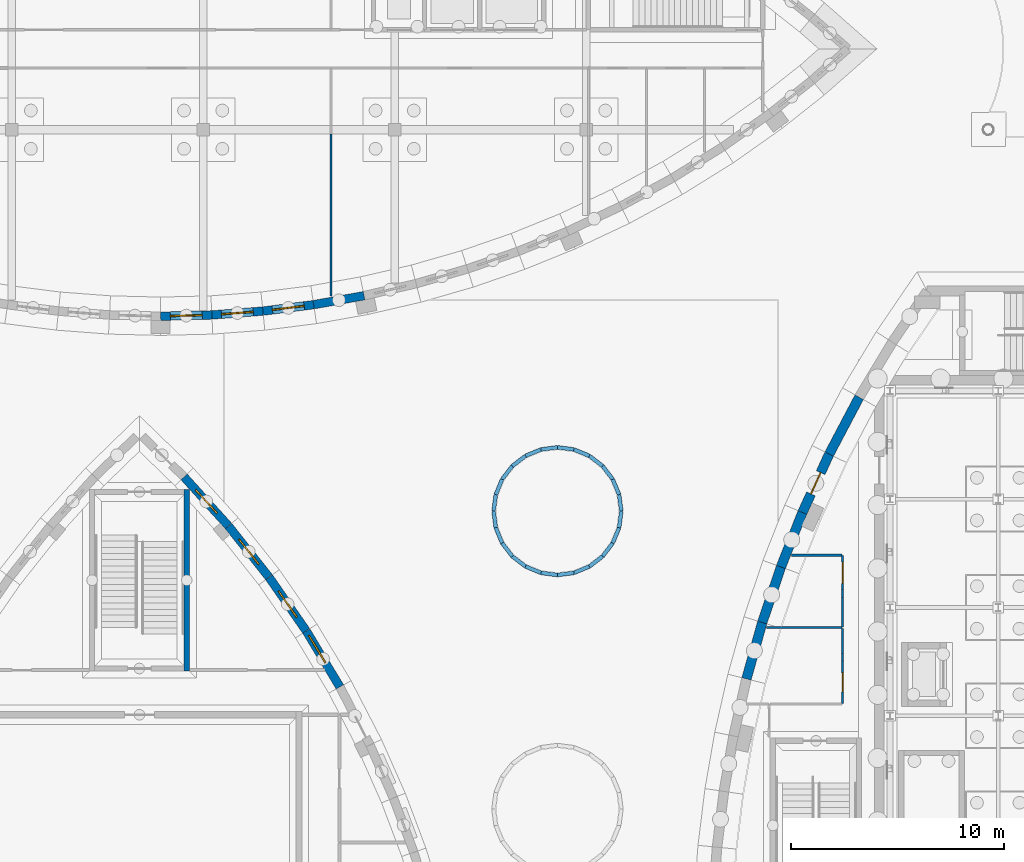
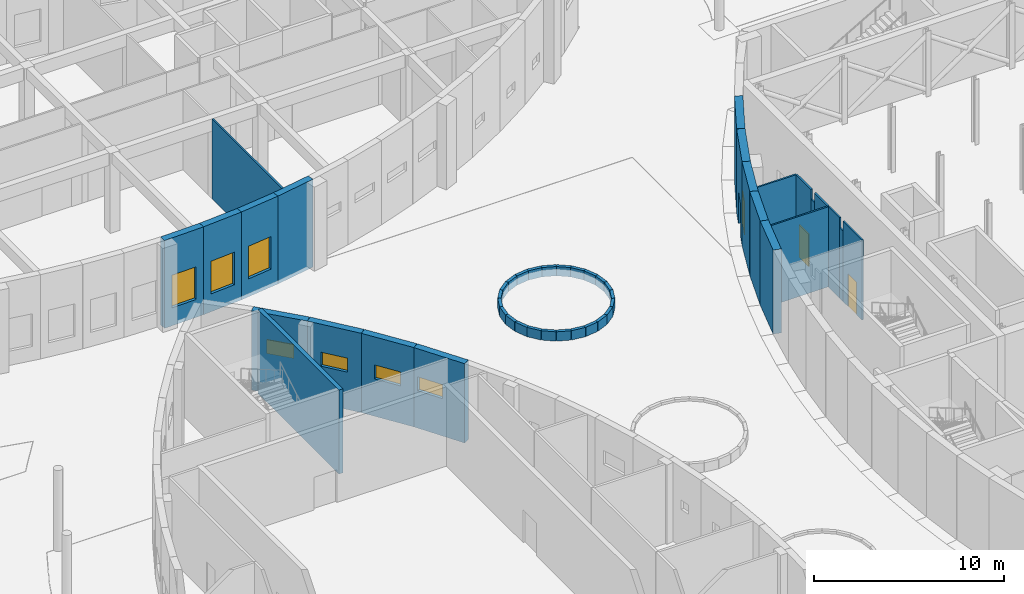
# One storey, part 57 of 82: 47 walls, 7 windows, 3 doors, 10 openings.
"""IFC4 building model written with IfcOpenShell, lengths in metres."""

from ifc_helpers import new_model, si_unit, direction, frame, frame_2d, origin, place, context, subcontext, project, spatial, rectangle, extrude, material, layer, layer_set, type_object, element, fill, save


model = new_model("IFC4")

# Units and contexts
model_context = context("Model", 3, precision=1e-05, world=origin(), true_north=direction((0.0, 1.0)))
body_context = subcontext(model_context, "Body", "Model", "MODEL_VIEW")
ifc_project = project(units=[si_unit("LENGTHUNIT", "METRE"), si_unit("AREAUNIT", "SQUARE_METRE"), si_unit("VOLUMEUNIT", "CUBIC_METRE"), si_unit("PLANEANGLEUNIT", "RADIAN"), si_unit("MASSUNIT", "GRAM", prefix="KILO")], contexts=[model_context])

# Site, building, storey
site_placement = place(None, origin())
site = spatial("IfcSite", under=ifc_project, at=site_placement, CompositionType="ELEMENT")
building_placement = place(site_placement, origin())
building = spatial("IfcBuilding", under=site, at=building_placement, Name="Tide Square Theatres", CompositionType="ELEMENT")
storey_placement = place(building_placement, origin())
storey = spatial("IfcBuildingStorey", under=building, at=storey_placement, Name="L00", CompositionType="ELEMENT", Elevation=0.0)

# Walls
ifc_material_1 = material(Name="Gypsum board on steel studs", Category="steel")
ifc_layer_1 = layer(ifc_material_1, 0.10009765625)
ifc_layer_set_1 = layer_set([ifc_layer_1], Name="Gypsum board on steel studs")
wall_type_1 = type_object("IfcWallType", Name="Partition 100 thick", PredefinedType="PARTITIONING", material=ifc_layer_set_1)
wall_1_placement = place(storey_placement, frame((45.0, 93.800048828125, 0.0), z_axis=(0.0, 0.0, 1.0), x_axis=(0.0, -1.0, 0.0)))
element("IfcWall", 1, at=wall_1_placement, inside=storey, type_object=wall_type_1, Name="Scenery Workshops partition", PredefinedType="PARTITIONING", context=body_context, shape_type="SweptSolid", body=[
    extrude(rectangle(XDim=7.626708984375, YDim=0.10009765625, at=frame_2d((3.8134765625, 0.0))), origin(), (0.0, 0.0, 1.0), 5.1201171875),
])
wall_2_placement = place(storey_placement, frame((65.482177734375, 70.60009765625, 0.0), z_axis=(0.0, 0.0, 1.0), x_axis=(1.0, 0.0, 0.0)))
element("IfcWall", 2, at=wall_2_placement, inside=storey, type_object=wall_type_1, Name="Partition", PredefinedType="PARTITIONING", context=body_context, shape_type="SweptSolid", body=[
    extrude(rectangle(XDim=3.5478515625, YDim=0.10009765625, at=frame_2d((1.77392578125, 0.0))), origin(), (0.0, 0.0, 1.0), 5.14990234375),
])
wall_3_placement = place(storey_placement, frame((66.653076171875, 74.0, 0.0), z_axis=(0.0, 0.0, 1.0), x_axis=(1.0, 0.0, 0.0)))
element("IfcWall", 3, at=wall_3_placement, inside=storey, type_object=wall_type_1, Name="Partition", PredefinedType="PARTITIONING", context=body_context, shape_type="SweptSolid", body=[
    extrude(rectangle(XDim=2.36376953125, YDim=0.10009765625, at=frame_2d((1.181884765625, 0.0))), origin(), (0.0, 0.0, 1.0), 5.14990234375),
])
wall_4_placement = place(storey_placement, frame((69.050048828125, 70.56689453125, 0.0), z_axis=(0.0, 0.0, 1.0), x_axis=(0.0, -1.0, 0.0)))
element("IfcWall", 4, at=wall_4_placement, inside=storey, type_object=wall_type_1, Name="Partition", PredefinedType="PARTITIONING", context=body_context, shape_type="SweptSolid", body=[
    extrude(rectangle(XDim=1.18701171875, YDim=0.10009765625, at=frame_2d((0.593505859375, 0.0))), origin(), (0.0, 0.0, 1.0), 5.14990234375),
])
wall_5_placement = place(storey_placement, frame((69.050048828125, 69.3798828125, 0.0), z_axis=(0.0, 0.0, 1.0), x_axis=(0.0, -1.0, 0.0)))
element("IfcWall", 5, at=wall_5_placement, inside=storey, type_object=wall_type_1, Name="Partition", PredefinedType="PARTITIONING", context=body_context, shape_type="SweptSolid", body=[
    extrude(rectangle(XDim=0.35986328125, YDim=0.10009765625, at=frame_2d((0.179931640625, 0.0))), origin(), (0.0, 0.0, 1.0), 4.52001953125),
])

# Wall, opening, door
wall_6_placement = place(storey_placement, frame((69.050048828125, 69.02001953125, 0.0), z_axis=(0.0, 0.0, 1.0), x_axis=(0.0, -1.0, 0.0)))
wall_6 = element("IfcWall", 6, at=wall_6_placement, inside=storey, type_object=wall_type_1, Name="Partition", PredefinedType="PARTITIONING", context=body_context, shape_type="SweptSolid", body=[
    extrude(rectangle(XDim=1.996826171875, YDim=0.10009765625, at=frame_2d((0.99853515625, 0.0))), origin(), (0.0, 0.0, 1.0), 5.14990234375),
])
opening_1_placement = place(wall_6_placement, frame((0.54833984375, 0.0, 0.0)))
opening_1 = element("IfcOpeningElement", 7, at=opening_1_placement, cuts=wall_6, Name="Opening M00-23", PredefinedType="OPENING", context=body_context, shape_type="SweptSolid", body=[
    extrude(rectangle(XDim=0.89990234375, YDim=2.10009765625, at=frame_2d((0.449951171875, 1.050048828125))), frame((0.0, 0.06005859375, 0.0), z_axis=(0.0, -1.0, 0.0), x_axis=(1.0, 0.0, 0.0)), (0.0, 0.0, 1.0), 0.1201171875),
])
ifc_material_2 = material(Name="Hardwood timber", Category="wood")
door_type_1 = type_object("IfcDoorType", Name="Door 900 x 2100 single leaf", OperationType="NOTDEFINED", PredefinedType="DOOR", material=ifc_material_2)
door_1_placement = place(opening_1_placement, frame((0.89990234375, 0.0, 0.0), z_axis=(0.0, 0.0, 1.0), x_axis=(-1.0, 0.0, 0.0)))
door_1 = element("IfcDoor", 8, at=door_1_placement, inside=storey, type_object=door_type_1, Name="Women's Toilets door", OperationType="SINGLE_SWING_LEFT", OverallHeight=2.10009765625, OverallWidth=0.89990234375, PredefinedType="DOOR", context=body_context, shape_type="SweptSolid", body=[
    extrude(rectangle(XDim=0.89990234375, YDim=2.10009765625, at=frame_2d((0.449951171875, 1.050048828125))), frame((0.0, 0.02490234375, 0.0), z_axis=(0.0, -1.0, 0.0), x_axis=(1.0, 0.0, 0.0)), (0.0, 0.0, 1.0), 0.050048828125),
])
fill(opening_1, door_1)

wall_7_placement = place(storey_placement, frame((69.050048828125, 73.976806640625, 0.0), z_axis=(0.0, 0.0, 1.0), x_axis=(0.0, -1.0, 0.0)))
wall_7 = element("IfcWall", 9, at=wall_7_placement, inside=storey, type_object=wall_type_1, Name="Partition", PredefinedType="PARTITIONING", context=body_context, shape_type="SweptSolid", body=[
    extrude(rectangle(XDim=1.596923828125, YDim=0.10009765625, at=frame_2d((0.79833984375, 0.0))), origin(), (0.0, 0.0, 1.0), 5.14990234375),
])
opening_2_placement = place(wall_7_placement, frame((0.298583984375, 0.0, 0.0)))
opening_2 = element("IfcOpeningElement", 10, at=opening_2_placement, cuts=wall_7, Name="Opening M00-25", PredefinedType="OPENING", context=body_context, shape_type="SweptSolid", body=[
    extrude(rectangle(XDim=1.0, YDim=2.10009765625, at=frame_2d((0.5, 1.050048828125))), frame((0.0, 0.06005859375, 0.0), z_axis=(0.0, -1.0, 0.0), x_axis=(1.0, 0.0, 0.0)), (0.0, 0.0, 1.0), 0.1201171875),
])
ifc_material_3 = material(Name="Hardwood timber", Category="wood")
door_type_2 = type_object("IfcDoorType", Name="Door 1000 x 2100 single leaf", OperationType="NOTDEFINED", PredefinedType="DOOR", material=ifc_material_3)
door_2_placement = place(opening_2_placement, frame((1.0, 0.0, 0.0), z_axis=(0.0, 0.0, 1.0), x_axis=(-1.0, 0.0, 0.0)))
door_2 = element("IfcDoor", 11, at=door_2_placement, inside=storey, type_object=door_type_2, Name="Accessible Toilet 01 door", OperationType="SINGLE_SWING_RIGHT", OverallHeight=2.10009765625, OverallWidth=1.0, PredefinedType="DOOR", context=body_context, shape_type="SweptSolid", body=[
    extrude(rectangle(XDim=1.0, YDim=2.10009765625, at=frame_2d((0.5, 1.050048828125))), frame((0.0, 0.02490234375, 0.0), z_axis=(0.0, -1.0, 0.0), x_axis=(1.0, 0.0, 0.0)), (0.0, 0.0, 1.0), 0.050048828125),
])
fill(opening_2, door_2)

# Walls
wall_8_placement = place(storey_placement, frame((69.050048828125, 72.3798828125, 0.0), z_axis=(0.0, 0.0, 1.0), x_axis=(0.0, -1.0, 0.0)))
element("IfcWall", 12, at=wall_8_placement, inside=storey, type_object=wall_type_1, Name="Partition", PredefinedType="PARTITIONING", context=body_context, shape_type="SweptSolid", body=[
    extrude(rectangle(XDim=0.35986328125, YDim=0.10009765625, at=frame_2d((0.179931640625, 0.0))), origin(), (0.0, 0.0, 1.0), 4.52001953125),
])
wall_9_placement = place(storey_placement, frame((69.050048828125, 72.02001953125, 0.0), z_axis=(0.0, 0.0, 1.0), x_axis=(0.0, -1.0, 0.0)))
element("IfcWall", 13, at=wall_9_placement, inside=storey, type_object=wall_type_1, Name="Partition", PredefinedType="PARTITIONING", context=body_context, shape_type="SweptSolid", body=[
    extrude(rectangle(XDim=1.38671875, YDim=0.10009765625, at=frame_2d((0.693359375, 0.0))), origin(), (0.0, 0.0, 1.0), 5.14990234375),
])

# Wall, opening, window
ifc_material_4 = material(Name="Concrete C40", Category="concrete")
ifc_layer_2 = layer(ifc_material_4, 0.39990234375)
ifc_layer_set_2 = layer_set([ifc_layer_2], Name="Concrete C40")
wall_type_2 = type_object("IfcWallType", Name="RC curved wall 400 thick", PredefinedType="SOLIDWALL", material=ifc_layer_set_2)
wall_10_placement = place(storey_placement, frame((45.421630859375, 67.813720703125, 0.0), z_axis=(0.0, 0.0, 1.0), x_axis=(-0.515387841983, 0.856957042293, 0.0)))
wall_10 = element("IfcWall", 14, at=wall_10_placement, inside=storey, type_object=wall_type_2, Name="Studio Theatre perimeter wall", PredefinedType="SOLIDWALL", context=body_context, shape_type="SweptSolid", body=[
    extrude(rectangle(XDim=3.057861328125, YDim=0.39990234375, at=frame_2d((1.52880859375, 0.0))), origin(), (0.0, 0.0, 1.0), 5.10009765625),
])
opening_3_placement = place(wall_10_placement, frame((1.32275390625, 0.0, 2.39990234375)))
opening_3 = element("IfcOpeningElement", 15, at=opening_3_placement, cuts=wall_10, Name="Opening WN-04", PredefinedType="OPENING", context=body_context, shape_type="SweptSolid", body=[
    extrude(rectangle(XDim=1.5, YDim=0.89990234375, at=frame_2d((0.75, 0.449951171875))), frame((0.0, 0.2099609375, 0.0), z_axis=(0.0, -1.0, 0.0), x_axis=(1.0, 0.0, 0.0)), (0.0, 0.0, 1.0), 0.419921875),
])
ifc_material_5 = material(Name="Aluminium with laminated glass", Category="aluminium")
window_type_1 = type_object("IfcWindowType", Name="Window 1500 x 900", PartitioningType="SINGLE_PANEL", PredefinedType="WINDOW", material=ifc_material_5)
window_1_placement = place(opening_3_placement, origin())
window_1 = element("IfcWindow", 16, at=window_1_placement, inside=storey, type_object=window_type_1, Name="Studio Theatre Scenery Store window", OverallHeight=0.89990234375, OverallWidth=1.5, PartitioningType="SINGLE_PANEL", PredefinedType="WINDOW", context=body_context, shape_type="SweptSolid", body=[
    extrude(rectangle(XDim=1.5, YDim=0.89990234375, at=frame_2d((0.75, 0.449951171875))), frame((0.0, 0.030029296875, 0.0), z_axis=(0.0, -1.0, 0.0), x_axis=(1.0, 0.0, 0.0)), (0.0, 0.0, 1.0), 0.06005859375),
])
fill(opening_3, window_1)

wall_11_placement = place(storey_placement, frame((43.838623046875, 70.44482421875, 0.0), z_axis=(0.0, 0.0, 1.0), x_axis=(-0.569371892655, 0.822080073871, 0.0)))
wall_11 = element("IfcWall", 17, at=wall_11_placement, inside=storey, type_object=wall_type_2, Name="Studio Theatre perimeter wall", PredefinedType="SOLIDWALL", context=body_context, shape_type="SweptSolid", body=[
    extrude(rectangle(XDim=3.0576171875, YDim=0.39990234375, at=frame_2d((1.52880859375, 0.0))), origin(), (0.0, 0.0, 1.0), 5.10009765625),
])
opening_4_placement = place(wall_11_placement, frame((0.77880859375, 0.0, 2.39990234375)))
opening_4 = element("IfcOpeningElement", 18, at=opening_4_placement, cuts=wall_11, Name="Opening WN-04", PredefinedType="OPENING", context=body_context, shape_type="SweptSolid", body=[
    extrude(rectangle(XDim=1.5, YDim=0.89990234375, at=frame_2d((0.75, 0.449951171875))), frame((0.0, 0.2099609375, 0.0), z_axis=(0.0, -1.0, 0.0), x_axis=(1.0, 0.0, 0.0)), (0.0, 0.0, 1.0), 0.419921875),
])
window_2_placement = place(opening_4_placement, origin())
window_2 = element("IfcWindow", 19, at=window_2_placement, inside=storey, type_object=window_type_1, Name="Studio Theatre Scenery Store window", OverallHeight=0.89990234375, OverallWidth=1.5, PartitioningType="SINGLE_PANEL", PredefinedType="WINDOW", context=body_context, shape_type="SweptSolid", body=[
    extrude(rectangle(XDim=1.5, YDim=0.89990234375, at=frame_2d((0.75, 0.449951171875))), frame((0.0, 0.030029296875, 0.0), z_axis=(0.0, -1.0, 0.0), x_axis=(1.0, 0.0, 0.0)), (0.0, 0.0, 1.0), 0.06005859375),
])
fill(opening_4, window_2)

wall_12_placement = place(storey_placement, frame((42.08984375, 72.968994140625, 0.0), z_axis=(0.0, 0.0, 1.0), x_axis=(-0.620958553355, 0.783843399548, 0.0)))
wall_12 = element("IfcWall", 20, at=wall_12_placement, inside=storey, type_object=wall_type_2, Name="Studio Theatre perimeter wall", PredefinedType="SOLIDWALL", context=body_context, shape_type="SweptSolid", body=[
    extrude(rectangle(XDim=3.0576171875, YDim=0.39990234375, at=frame_2d((1.52880859375, 0.0))), origin(), (0.0, 0.0, 1.0), 5.10009765625),
])
opening_5_placement = place(wall_12_placement, frame((0.77880859375, 0.0, 2.39990234375)))
opening_5 = element("IfcOpeningElement", 21, at=opening_5_placement, cuts=wall_12, Name="Opening WN-04", PredefinedType="OPENING", context=body_context, shape_type="SweptSolid", body=[
    extrude(rectangle(XDim=1.5, YDim=0.89990234375, at=frame_2d((0.75, 0.449951171875))), frame((0.0, 0.2099609375, 0.0), z_axis=(0.0, -1.0, 0.0), x_axis=(1.0, 0.0, 0.0)), (0.0, 0.0, 1.0), 0.419921875),
])
window_3_placement = place(opening_5_placement, origin())
window_3 = element("IfcWindow", 22, at=window_3_placement, inside=storey, type_object=window_type_1, Name="Studio Theatre Scenery Store window", OverallHeight=0.89990234375, OverallWidth=1.5, PartitioningType="SINGLE_PANEL", PredefinedType="WINDOW", context=body_context, shape_type="SweptSolid", body=[
    extrude(rectangle(XDim=1.5, YDim=0.89990234375, at=frame_2d((0.75, 0.449951171875))), frame((0.0, 0.030029296875, 0.0), z_axis=(0.0, -1.0, 0.0), x_axis=(1.0, 0.0, 0.0)), (0.0, 0.0, 1.0), 0.06005859375),
])
fill(opening_5, window_3)

wall_13_placement = place(storey_placement, frame((40.182861328125, 75.37548828125, 0.0), z_axis=(0.0, 0.0, 1.0), x_axis=(-0.67038553216, 0.742012963681, 0.0)))
wall_13 = element("IfcWall", 23, at=wall_13_placement, inside=storey, type_object=wall_type_2, Name="Studio Theatre perimeter wall", PredefinedType="SOLIDWALL", context=body_context, shape_type="SweptSolid", body=[
    extrude(rectangle(XDim=3.101806640625, YDim=0.39990234375, at=frame_2d((1.55078125, 0.0))), origin(), (0.0, 0.0, 1.0), 5.10009765625),
])
opening_6_placement = place(wall_13_placement, frame((0.80078125, 0.0, 2.39990234375)))
opening_6 = element("IfcOpeningElement", 24, at=opening_6_placement, cuts=wall_13, Name="Opening WN-04", PredefinedType="OPENING", context=body_context, shape_type="SweptSolid", body=[
    extrude(rectangle(XDim=1.5, YDim=0.89990234375, at=frame_2d((0.75, 0.449951171875))), frame((0.0, 0.2099609375, 0.0), z_axis=(0.0, -1.0, 0.0), x_axis=(1.0, 0.0, 0.0)), (0.0, 0.0, 1.0), 0.419921875),
])
window_4_placement = place(opening_6_placement, origin())
window_4 = element("IfcWindow", 25, at=window_4_placement, inside=storey, type_object=window_type_1, Name="Studio Theatre Scenery Store window", OverallHeight=0.89990234375, OverallWidth=1.5, PartitioningType="SINGLE_PANEL", PredefinedType="WINDOW", context=body_context, shape_type="SweptSolid", body=[
    extrude(rectangle(XDim=1.5, YDim=0.89990234375, at=frame_2d((0.75, 0.449951171875))), frame((0.0, 0.030029296875, 0.0), z_axis=(0.0, -1.0, 0.0), x_axis=(1.0, 0.0, 0.0)), (0.0, 0.0, 1.0), 0.06005859375),
])
fill(opening_6, window_4)

wall_14_placement = place(storey_placement, frame((37.0, 85.231201171875, -0.25), z_axis=(0.0, 0.0, 1.0), x_axis=(0.999683321759, 0.025164582196, 0.0)))
wall_14 = element("IfcWall", 26, at=wall_14_placement, inside=storey, type_object=wall_type_2, Name="Scenery Workshops perimeter wall 014", PredefinedType="SOLIDWALL", context=body_context, shape_type="SweptSolid", body=[
    extrude(rectangle(XDim=2.406005859375, YDim=0.39990234375, at=frame_2d((1.203125, 0.0))), origin(), (0.0, 0.0, 1.0), 5.64990234375),
])
opening_7_placement = place(wall_14_placement, frame((0.452880859375, 0.0, 1.14990234375)))
opening_7 = element("IfcOpeningElement", 27, at=opening_7_placement, cuts=wall_14, Name="Opening WN-01", PredefinedType="OPENING", context=body_context, shape_type="SweptSolid", body=[
    extrude(rectangle(XDim=1.5, YDim=2.10009765625, at=frame_2d((0.75, 1.050048828125))), frame((0.0, 0.2099609375, 0.0), z_axis=(0.0, -1.0, 0.0), x_axis=(1.0, 0.0, 0.0)), (0.0, 0.0, 1.0), 0.419921875),
])
ifc_material_6 = material(Name="Aluminium with laminated glass", Category="aluminium")
window_type_2 = type_object("IfcWindowType", Name="Window 1500 x 2100", PartitioningType="SINGLE_PANEL", PredefinedType="WINDOW", material=ifc_material_6)
window_5_placement = place(opening_7_placement, origin())
window_5 = element("IfcWindow", 28, at=window_5_placement, inside=storey, type_object=window_type_2, Name="Scenery Workshops window L00-14", OverallHeight=2.10009765625, OverallWidth=1.5, PartitioningType="SINGLE_PANEL", PredefinedType="WINDOW", context=body_context, shape_type="SweptSolid", body=[
    extrude(rectangle(XDim=1.5, YDim=2.10009765625, at=frame_2d((0.75, 1.050048828125))), frame((0.0, 0.030029296875, 0.0), z_axis=(0.0, -1.0, 0.0), x_axis=(1.0, 0.0, 0.0)), (0.0, 0.0, 1.0), 0.06005859375),
])
fill(opening_7, window_5)

wall_15_placement = place(storey_placement, frame((39.4052734375, 85.291748046875, -0.25), z_axis=(0.0, 0.0, 1.0), x_axis=(0.997146276918, 0.075493724435, 0.0)))
wall_15 = element("IfcWall", 29, at=wall_15_placement, inside=storey, type_object=wall_type_2, Name="Scenery Workshops perimeter wall 015", PredefinedType="SOLIDWALL", context=body_context, shape_type="SweptSolid", body=[
    extrude(rectangle(XDim=2.406005859375, YDim=0.39990234375, at=frame_2d((1.203125, 0.0))), origin(), (0.0, 0.0, 1.0), 5.64990234375),
])
opening_8_placement = place(wall_15_placement, frame((0.452880859375, 0.0, 1.14990234375)))
opening_8 = element("IfcOpeningElement", 30, at=opening_8_placement, cuts=wall_15, Name="Opening WN-01", PredefinedType="OPENING", context=body_context, shape_type="SweptSolid", body=[
    extrude(rectangle(XDim=1.5, YDim=2.10009765625, at=frame_2d((0.75, 1.050048828125))), frame((0.0, 0.2099609375, 0.0), z_axis=(0.0, -1.0, 0.0), x_axis=(1.0, 0.0, 0.0)), (0.0, 0.0, 1.0), 0.419921875),
])
window_6_placement = place(opening_8_placement, origin())
window_6 = element("IfcWindow", 31, at=window_6_placement, inside=storey, type_object=window_type_2, Name="Scenery Workshops window L00-15", OverallHeight=2.10009765625, OverallWidth=1.5, PartitioningType="SINGLE_PANEL", PredefinedType="WINDOW", context=body_context, shape_type="SweptSolid", body=[
    extrude(rectangle(XDim=1.5, YDim=2.10009765625, at=frame_2d((0.75, 1.050048828125))), frame((0.0, 0.030029296875, 0.0), z_axis=(0.0, -1.0, 0.0), x_axis=(1.0, 0.0, 0.0)), (0.0, 0.0, 1.0), 0.06005859375),
])
fill(opening_8, window_6)

wall_16_placement = place(storey_placement, frame((41.804443359375, 85.473388671875, -0.25), z_axis=(0.0, 0.0, 1.0), x_axis=(0.99208939311, 0.125533406227, 0.0)))
wall_16 = element("IfcWall", 32, at=wall_16_placement, inside=storey, type_object=wall_type_2, Name="Scenery Workshops perimeter wall 016", PredefinedType="SOLIDWALL", context=body_context, shape_type="SweptSolid", body=[
    extrude(rectangle(XDim=2.40576171875, YDim=0.39990234375, at=frame_2d((1.202880859375, 0.0))), origin(), (0.0, 0.0, 1.0), 5.64990234375),
])
opening_9_placement = place(wall_16_placement, frame((0.452880859375, 0.0, 1.14990234375)))
opening_9 = element("IfcOpeningElement", 33, at=opening_9_placement, cuts=wall_16, Name="Opening WN-01", PredefinedType="OPENING", context=body_context, shape_type="SweptSolid", body=[
    extrude(rectangle(XDim=1.5, YDim=2.10009765625, at=frame_2d((0.75, 1.050048828125))), frame((0.0, 0.2099609375, 0.0), z_axis=(0.0, -1.0, 0.0), x_axis=(1.0, 0.0, 0.0)), (0.0, 0.0, 1.0), 0.419921875),
])
window_7_placement = place(opening_9_placement, origin())
window_7 = element("IfcWindow", 34, at=window_7_placement, inside=storey, type_object=window_type_2, Name="Scenery Workshops window L00-16", OverallHeight=2.10009765625, OverallWidth=1.5, PartitioningType="SINGLE_PANEL", PredefinedType="WINDOW", context=body_context, shape_type="SweptSolid", body=[
    extrude(rectangle(XDim=1.5, YDim=2.10009765625, at=frame_2d((0.75, 1.050048828125))), frame((0.0, 0.030029296875, 0.0), z_axis=(0.0, -1.0, 0.0), x_axis=(1.0, 0.0, 0.0)), (0.0, 0.0, 1.0), 0.06005859375),
])
fill(opening_9, window_7)

# Walls
wall_17_placement = place(storey_placement, frame((44.191162109375, 85.775390625, -0.25), z_axis=(0.0, 0.0, 1.0), x_axis=(0.984524011381, 0.175249738987, 0.0)))
element("IfcWall", 35, at=wall_17_placement, inside=storey, type_object=wall_type_2, Name="Scenery Workshops perimeter wall 017", PredefinedType="SOLIDWALL", context=body_context, shape_type="SweptSolid", body=[
    extrude(rectangle(XDim=2.406005859375, YDim=0.39990234375, at=frame_2d((1.203125, 0.0))), origin(), (0.0, 0.0, 1.0), 5.64990234375),
])
ifc_material_7 = material(Name="Concrete C40", Category="concrete")
ifc_layer_3 = layer(ifc_material_7, 0.449951171875)
ifc_layer_set_3 = layer_set([ifc_layer_3], Name="Concrete C40")
wall_type_3 = type_object("IfcWallType", Name="RC curved wall 450 thick", PredefinedType="SOLIDWALL", material=ifc_layer_set_3)
wall_18_placement = place(storey_placement, frame((69.830810546875, 81.42529296875, 0.0), z_axis=(0.0, 0.0, 1.0), x_axis=(-0.466728769487, -0.884400506407, 0.0)))
element("IfcWall", 36, at=wall_18_placement, inside=storey, type_object=wall_type_3, Name="Main Theatre perimeter wall", PredefinedType="SOLIDWALL", context=body_context, shape_type="SweptSolid", body=[
    extrude(rectangle(XDim=3.020751953125, YDim=0.449951171875, at=frame_2d((1.51025390625, 0.0))), origin(), (0.0, 0.0, 1.0), 5.39990234375),
])

# Wall, opening, door
wall_19_placement = place(storey_placement, frame((68.4208984375, 78.753662109375, 0.0), z_axis=(0.0, 0.0, 1.0), x_axis=(-0.416407051835, -0.909178292296, 0.0)))
wall_19 = element("IfcWall", 37, at=wall_19_placement, inside=storey, type_object=wall_type_3, Name="Main Theatre perimeter wall", PredefinedType="SOLIDWALL", context=body_context, shape_type="SweptSolid", body=[
    extrude(rectangle(XDim=3.021240234375, YDim=0.449951171875, at=frame_2d((1.5107421875, 0.0))), origin(), (0.0, 0.0, 1.0), 5.39990234375),
])
opening_10_placement = place(wall_19_placement, frame((0.960693359375, 0.0, 0.0)))
opening_10 = element("IfcOpeningElement", 38, at=opening_10_placement, cuts=wall_19, Name="Opening M00-19", PredefinedType="OPENING", context=body_context, shape_type="SweptSolid", body=[
    extrude(rectangle(XDim=1.10009765625, YDim=2.10009765625, at=frame_2d((0.550048828125, 1.050048828125))), frame((0.0, 0.23486328125, 0.0), z_axis=(0.0, -1.0, 0.0), x_axis=(1.0, 0.0, 0.0)), (0.0, 0.0, 1.0), 0.469970703125),
])
ifc_material_8 = material(Name="Painted steel", Category="steel")
door_type_3 = type_object("IfcDoorType", Name="Door 1100 x 2100 single leaf", OperationType="NOTDEFINED", PredefinedType="DOOR", material=ifc_material_8)
door_3_placement = place(opening_10_placement, frame((1.10009765625, 0.0, 0.0), z_axis=(0.0, 0.0, 1.0), x_axis=(-1.0, 0.0, 0.0)))
door_3 = element("IfcDoor", 39, at=door_3_placement, inside=storey, type_object=door_type_3, Name="Backstage corridor exit door", OperationType="SINGLE_SWING_RIGHT", OverallHeight=2.10009765625, OverallWidth=1.10009765625, PredefinedType="DOOR", context=body_context, shape_type="SweptSolid", body=[
    extrude(rectangle(XDim=1.10009765625, YDim=2.10009765625, at=frame_2d((0.550048828125, 1.050048828125))), frame((0.0, 0.02490234375, 0.0), z_axis=(0.0, -1.0, 0.0), x_axis=(1.0, 0.0, 0.0)), (0.0, 0.0, 1.0), 0.050048828125),
])
fill(opening_10, door_3)

# Walls
wall_20_placement = place(storey_placement, frame((67.162841796875, 76.0068359375, 0.0), z_axis=(0.0, 0.0, 1.0), x_axis=(-0.366920100653, -0.930252460215, 0.0)))
element("IfcWall", 40, at=wall_20_placement, inside=storey, type_object=wall_type_3, Name="Main Theatre perimeter wall", PredefinedType="SOLIDWALL", context=body_context, shape_type="SweptSolid", body=[
    extrude(rectangle(XDim=2.751953125, YDim=0.449951171875, at=frame_2d((1.3759765625, 0.0))), origin(), (0.0, 0.0, 1.0), 5.39990234375),
])
for number, where, z_axis, x_axis, name in (
    (41, (66.153076171875, 73.44677734375, 0.0), (0.0, 0.0, 1.0), (-0.318887614688, -0.947792534893, 0.0), "Main Theatre perimeter wall"),
    (42, (65.275390625, 70.838134765625, 0.0), (0.0, 0.0, 1.0), (-0.270008269196, -0.962858003324, 0.0), "Main Theatre perimeter wall"),
):
    element("IfcWall", number, at=place(storey_placement, frame(where, z_axis=z_axis, x_axis=x_axis)), inside=storey, type_object=wall_type_3, Name=name, PredefinedType="SOLIDWALL", context=body_context, shape_type="SweptSolid", body=[
        extrude(rectangle(XDim=2.75244140625, YDim=0.449951171875, at=frame_2d((1.376220703125, 0.0))), origin(), (0.0, 0.0, 1.0), 5.39990234375),
    ])
ifc_material_9 = material(Name="Concrete C40", Category="concrete")
ifc_layer_4 = layer(ifc_material_9, 0.179931640625)
ifc_layer_set_4 = layer_set([ifc_layer_4], Name="Concrete C40")
wall_type_4 = type_object("IfcWallType", Name="RC parapet 180 thick", PredefinedType="PARAPET", material=ifc_layer_set_4)
wall_21_placement = place(storey_placement, frame((58.64892578125, 76.0693359375, 0.0), z_axis=(0.0, 0.0, 1.0), x_axis=(-0.130591571678, -0.991436251812, 0.0)))
element("IfcWall", 43, at=wall_21_placement, inside=storey, type_object=wall_type_4, Name="Planter wall", PredefinedType="PARAPET", context=body_context, shape_type="SweptSolid", body=[
    extrude(rectangle(XDim=0.783203125, YDim=0.179931640625, at=frame_2d((0.3916015625, 0.0))), origin(), (0.0, 0.0, 1.0), 0.60009765625),
])
wall_22_placement = place(storey_placement, frame((58.546630859375, 75.292724609375, 0.0), z_axis=(0.0, 0.0, 1.0), x_axis=(-0.382599649866, -0.923914231908, 0.0)))
element("IfcWall", 44, at=wall_22_placement, inside=storey, type_object=wall_type_4, Name="Planter wall", PredefinedType="PARAPET", context=body_context, shape_type="SweptSolid", body=[
    extrude(rectangle(XDim=0.782958984375, YDim=0.179931640625, at=frame_2d((0.3916015625, 0.0))), origin(), (0.0, 0.0, 1.0), 0.60009765625),
])
for number, where, z_axis, x_axis, name in (
    (45, (58.2470703125, 74.5693359375, 0.0), (0.0, 0.0, 1.0), (-0.608791411033, -0.793330333374, 0.0), "Planter wall"),
    (46, (57.770263671875, 73.947998046875, 0.0), (0.0, 0.0, 1.0), (-0.793330333374, -0.608791411033, 0.0), "Planter wall"),
    (47, (57.14892578125, 73.47119140625, 0.0), (0.0, 0.0, 1.0), (-0.923849665613, -0.382755529478, 0.0), "Planter wall"),
):
    element("IfcWall", number, at=place(storey_placement, frame(where, z_axis=z_axis, x_axis=x_axis)), inside=storey, type_object=wall_type_4, Name=name, PredefinedType="PARAPET", context=body_context, shape_type="SweptSolid", body=[
        extrude(rectangle(XDim=0.783203125, YDim=0.179931640625, at=frame_2d((0.3916015625, 0.0))), origin(), (0.0, 0.0, 1.0), 0.60009765625),
    ])
wall_23_placement = place(storey_placement, frame((56.42529296875, 73.17138671875, 0.0), z_axis=(0.0, 0.0, 1.0), x_axis=(-0.9914712665, -0.130325468364, 0.0)))
element("IfcWall", 48, at=wall_23_placement, inside=storey, type_object=wall_type_4, Name="Planter wall", PredefinedType="PARAPET", context=body_context, shape_type="SweptSolid", body=[
    extrude(rectangle(XDim=0.782958984375, YDim=0.179931640625, at=frame_2d((0.3916015625, 0.0))), origin(), (0.0, 0.0, 1.0), 0.60009765625),
])
wall_24_placement = place(storey_placement, frame((55.64892578125, 73.0693359375, 0.0), z_axis=(0.0, 0.0, 1.0), x_axis=(-0.991476559602, 0.130285193937, 0.0)))
element("IfcWall", 49, at=wall_24_placement, inside=storey, type_object=wall_type_4, Name="Planter wall", PredefinedType="PARAPET", context=body_context, shape_type="SweptSolid", body=[
    extrude(rectangle(XDim=0.783203125, YDim=0.179931640625, at=frame_2d((0.3916015625, 0.0))), origin(), (0.0, 0.0, 1.0), 0.60009765625),
])
wall_25_placement = place(storey_placement, frame((54.872314453125, 73.17138671875, 0.0), z_axis=(0.0, 0.0, 1.0), x_axis=(-0.923803982713, 0.382865774813, 0.0)))
element("IfcWall", 50, at=wall_25_placement, inside=storey, type_object=wall_type_4, Name="Planter wall", PredefinedType="PARAPET", context=body_context, shape_type="SweptSolid", body=[
    extrude(rectangle(XDim=0.782958984375, YDim=0.179931640625, at=frame_2d((0.3916015625, 0.0))), origin(), (0.0, 0.0, 1.0), 0.60009765625),
])
for number, where, z_axis, x_axis, name in (
    (51, (54.14892578125, 73.47119140625, 0.0), (0.0, 0.0, 1.0), (-0.793330333374, 0.608791411033, 0.0), "Planter wall"),
    (52, (53.527587890625, 73.947998046875, 0.0), (0.0, 0.0, 1.0), (-0.608791411033, 0.793330333374, 0.0), "Planter wall"),
):
    element("IfcWall", number, at=place(storey_placement, frame(where, z_axis=z_axis, x_axis=x_axis)), inside=storey, type_object=wall_type_4, Name=name, PredefinedType="PARAPET", context=body_context, shape_type="SweptSolid", body=[
        extrude(rectangle(XDim=0.783203125, YDim=0.179931640625, at=frame_2d((0.3916015625, 0.0))), origin(), (0.0, 0.0, 1.0), 0.60009765625),
    ])
wall_26_placement = place(storey_placement, frame((53.05078125, 74.5693359375, 0.0), z_axis=(0.0, 0.0, 1.0), x_axis=(-0.382599649866, 0.923914231908, 0.0)))
element("IfcWall", 53, at=wall_26_placement, inside=storey, type_object=wall_type_4, Name="Planter wall", PredefinedType="PARAPET", context=body_context, shape_type="SweptSolid", body=[
    extrude(rectangle(XDim=0.782958984375, YDim=0.179931640625, at=frame_2d((0.3916015625, 0.0))), origin(), (0.0, 0.0, 1.0), 0.60009765625),
])
wall_27_placement = place(storey_placement, frame((52.751220703125, 75.292724609375, 0.0), z_axis=(0.0, 0.0, 1.0), x_axis=(-0.130591571678, 0.991436251812, 0.0)))
element("IfcWall", 54, at=wall_27_placement, inside=storey, type_object=wall_type_4, Name="Planter wall", PredefinedType="PARAPET", context=body_context, shape_type="SweptSolid", body=[
    extrude(rectangle(XDim=0.783203125, YDim=0.179931640625, at=frame_2d((0.3916015625, 0.0))), origin(), (0.0, 0.0, 1.0), 0.60009765625),
])
wall_28_placement = place(storey_placement, frame((52.64892578125, 76.0693359375, 0.0), z_axis=(0.0, 0.0, 1.0), x_axis=(0.130631937531, 0.991430934002, 0.0)))
element("IfcWall", 55, at=wall_28_placement, inside=storey, type_object=wall_type_4, Name="Planter wall", PredefinedType="PARAPET", context=body_context, shape_type="SweptSolid", body=[
    extrude(rectangle(XDim=0.782958984375, YDim=0.179931640625, at=frame_2d((0.3916015625, 0.0))), origin(), (0.0, 0.0, 1.0), 0.60009765625),
])
for number, where, z_axis, x_axis, name in (
    (56, (52.751220703125, 76.845703125, 0.0), (0.0, 0.0, 1.0), (0.382489454875, 0.923959856763, 0.0), "Planter wall"),
    (57, (53.05078125, 77.5693359375, 0.0), (0.0, 0.0, 1.0), (0.608791411033, 0.793330333374, 0.0), "Planter wall"),
    (58, (53.527587890625, 78.190673828125, 0.0), (0.0, 0.0, 1.0), (0.793330333374, 0.608791411033, 0.0), "Planter wall"),
):
    element("IfcWall", number, at=place(storey_placement, frame(where, z_axis=z_axis, x_axis=x_axis)), inside=storey, type_object=wall_type_4, Name=name, PredefinedType="PARAPET", context=body_context, shape_type="SweptSolid", body=[
        extrude(rectangle(XDim=0.783203125, YDim=0.179931640625, at=frame_2d((0.3916015625, 0.0))), origin(), (0.0, 0.0, 1.0), 0.60009765625),
    ])
wall_29_placement = place(storey_placement, frame((54.14892578125, 78.66748046875, 0.0), z_axis=(0.0, 0.0, 1.0), x_axis=(0.923914231908, 0.382599649866, 0.0)))
element("IfcWall", 59, at=wall_29_placement, inside=storey, type_object=wall_type_4, Name="Planter wall", PredefinedType="PARAPET", context=body_context, shape_type="SweptSolid", body=[
    extrude(rectangle(XDim=0.782958984375, YDim=0.179931640625, at=frame_2d((0.3916015625, 0.0))), origin(), (0.0, 0.0, 1.0), 0.60009765625),
])
wall_30_placement = place(storey_placement, frame((54.872314453125, 78.967041015625, 0.0), z_axis=(0.0, 0.0, 1.0), x_axis=(0.991436251812, 0.130591571678, 0.0)))
element("IfcWall", 60, at=wall_30_placement, inside=storey, type_object=wall_type_4, Name="Planter wall", PredefinedType="PARAPET", context=body_context, shape_type="SweptSolid", body=[
    extrude(rectangle(XDim=0.783203125, YDim=0.179931640625, at=frame_2d((0.3916015625, 0.0))), origin(), (0.0, 0.0, 1.0), 0.60009765625),
])
wall_31_placement = place(storey_placement, frame((55.64892578125, 79.0693359375, 0.0), z_axis=(0.0, 0.0, 1.0), x_axis=(0.991430934002, -0.130631937531, 0.0)))
element("IfcWall", 61, at=wall_31_placement, inside=storey, type_object=wall_type_4, Name="Planter wall", PredefinedType="PARAPET", context=body_context, shape_type="SweptSolid", body=[
    extrude(rectangle(XDim=0.782958984375, YDim=0.179931640625, at=frame_2d((0.3916015625, 0.0))), origin(), (0.0, 0.0, 1.0), 0.60009765625),
])
for number, where, z_axis, x_axis, name in (
    (62, (56.42529296875, 78.967041015625, 0.0), (0.0, 0.0, 1.0), (0.923959856763, -0.382489454875, 0.0), "Planter wall"),
    (63, (57.14892578125, 78.66748046875, 0.0), (0.0, 0.0, 1.0), (0.793330333374, -0.608791411033, 0.0), "Planter wall"),
    (64, (57.770263671875, 78.190673828125, 0.0), (0.0, 0.0, 1.0), (0.608791411033, -0.793330333374, 0.0), "Planter wall"),
    (65, (58.2470703125, 77.5693359375, 0.0), (0.0, 0.0, 1.0), (0.382489454875, -0.923959856763, 0.0), "Planter wall"),
):
    element("IfcWall", number, at=place(storey_placement, frame(where, z_axis=z_axis, x_axis=x_axis)), inside=storey, type_object=wall_type_4, Name=name, PredefinedType="PARAPET", context=body_context, shape_type="SweptSolid", body=[
        extrude(rectangle(XDim=0.783203125, YDim=0.179931640625, at=frame_2d((0.3916015625, 0.0))), origin(), (0.0, 0.0, 1.0), 0.60009765625),
    ])
wall_32_placement = place(storey_placement, frame((58.546630859375, 76.845703125, 0.0), z_axis=(0.0, 0.0, 1.0), x_axis=(0.130631937531, -0.991430934002, 0.0)))
element("IfcWall", 66, at=wall_32_placement, inside=storey, type_object=wall_type_4, Name="Planter wall", PredefinedType="PARAPET", context=body_context, shape_type="SweptSolid", body=[
    extrude(rectangle(XDim=0.782958984375, YDim=0.179931640625, at=frame_2d((0.3916015625, 0.0))), origin(), (0.0, 0.0, 1.0), 0.60009765625),
])
ifc_material_10 = material(Name="Concrete C40", Category="concrete")
ifc_layer_5 = layer(ifc_material_10, 0.25)
ifc_layer_set_5 = layer_set([ifc_layer_5], Name="Concrete C40")
wall_type_5 = type_object("IfcWallType", Name="RC shear wall 250 thick", PredefinedType="SHEAR", material=ifc_layer_set_5)
wall_33_placement = place(storey_placement, frame((38.22509765625, 68.550048828125, 0.0), z_axis=(0.0, 0.0, 1.0), x_axis=(0.0, 1.0, 0.0)))
element("IfcWall", 67, at=wall_33_placement, inside=storey, type_object=wall_type_5, Name="Studio Theatre Stair S1 shaft wall", PredefinedType="SHEAR", context=body_context, shape_type="SweptSolid", body=[
    extrude(rectangle(XDim=8.550048828125, YDim=0.25, at=frame_2d((4.27490234375, 0.0))), origin(), (0.0, 0.0, 1.0), 5.39990234375),
])

save(model, "model.ifc")
